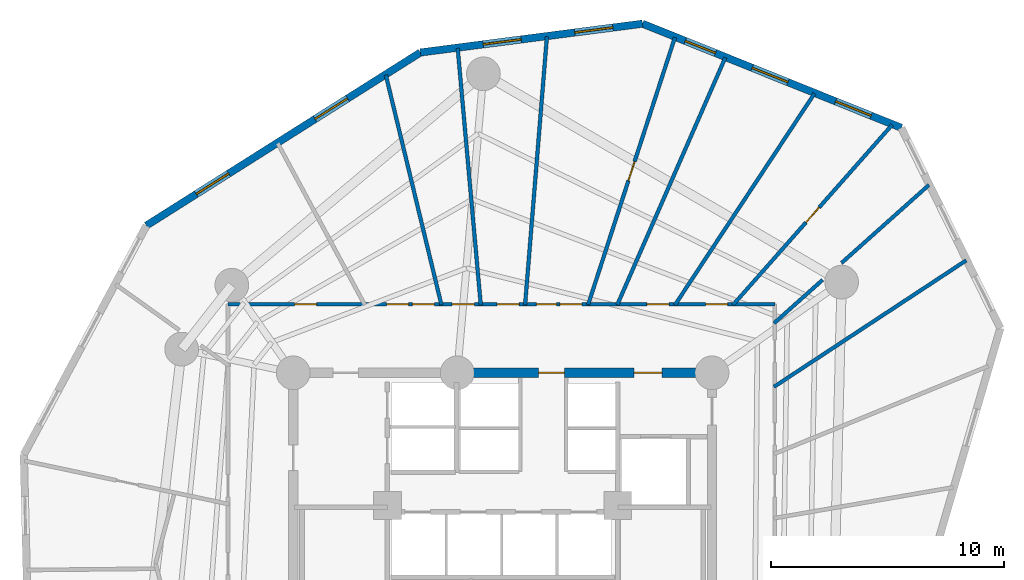
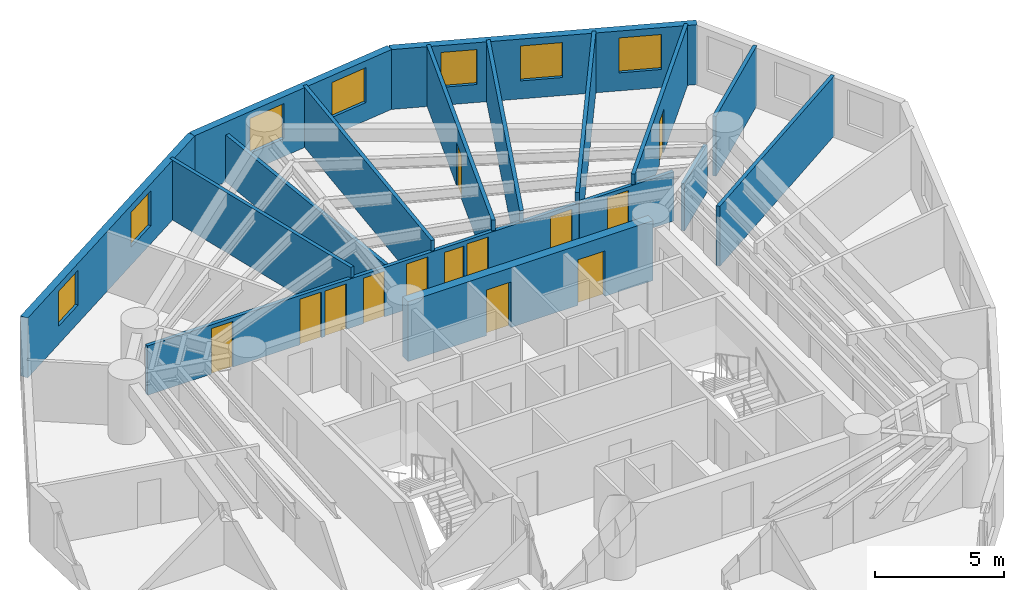
# One storey, part 6 of 8: 15 walls, 13 doors, 7 windows, 20 openings.
"""IFC4 building model written with IfcOpenShell, lengths in metres."""

from ifc_helpers import new_model, si_unit, direction, frame, frame_2d, origin, origin_with_axes, place, context, subcontext, project, spatial, rectangle, extrude, source, transform, mapped, material, layer, layer_set, type_object, element, fill, save


model = new_model("IFC4")

# Units and contexts
model_context = context("Model", 3, precision=1e-05, world=origin(), true_north=direction((0.0, 1.0)))
body_context = subcontext(model_context, "Body", "Model", "MODEL_VIEW")
ifc_project = project(units=[si_unit("LENGTHUNIT", "METRE"), si_unit("AREAUNIT", "SQUARE_METRE"), si_unit("VOLUMEUNIT", "CUBIC_METRE"), si_unit("PLANEANGLEUNIT", "RADIAN"), si_unit("MASSUNIT", "GRAM", prefix="KILO")], contexts=[model_context])

# Site, building, storey
site_placement = place(None, origin())
site = spatial("IfcSite", under=ifc_project, at=site_placement, CompositionType="ELEMENT")
building_placement = place(site_placement, origin())
building = spatial("IfcBuilding", under=site, at=building_placement, Name="Karkom Vertical University and Central Library", CompositionType="ELEMENT")
storey_placement = place(building_placement, frame((0.0, 0.0, 117.550048828125)))
storey = spatial("IfcBuildingStorey", under=building, at=storey_placement, Name="L32", CompositionType="ELEMENT", Elevation=117.550048828125)

# Wall, openings, windows
ifc_material_1 = material(Name="Brick-faced precast concrete C45/55", Category="masonry")
ifc_layer_1 = layer(ifc_material_1, 0.320068359375)
ifc_layer_set_1 = layer_set([ifc_layer_1], Name="Brick-faced precast concrete C45/55")
wall_type_1 = type_object("IfcWallType", Name="ENV-WL-BRK-320", PredefinedType="SOLIDWALL", material=ifc_layer_set_1)
wall_1_placement = place(storey_placement, frame((45.638916015625, 45.23193359375, 0.0), z_axis=(0.0, 0.0, 1.0), x_axis=(-0.927788462826, 0.373106644603, 0.0)))
wall_1 = element("IfcWall", 1, at=wall_1_placement, inside=storey, type_object=wall_type_1, Name="Level 32 Brick-Faced Precast Facade Wall 10", PredefinedType="SOLIDWALL", context=body_context, shape_type="SweptSolid", body=[
    extrude(rectangle(XDim=11.990966796875, YDim=0.320068359375, at=frame_2d((5.99560546875, 0.0))), origin(), (0.0, 0.0, 1.0), 2.824951171875),
])
opening_1_placement = place(wall_1_placement, frame((1.39990234375, 0.0, 0.85009765625)))
opening_1 = element("IfcOpeningElement", 2, at=opening_1_placement, cuts=wall_1, Name="Opening WN-06", PredefinedType="OPENING", context=body_context, shape_type="SweptSolid", body=[
    extrude(rectangle(XDim=1.64990234375, YDim=1.64990234375, at=frame_2d((0.824951171875, 0.824951171875))), frame((0.0, 0.169921875, 0.0), z_axis=(0.0, -1.0, 0.0), x_axis=(1.0, 0.0, 0.0)), (0.0, 0.0, 1.0), 0.340087890625),
])
opening_2_placement = place(wall_1_placement, frame((5.259765625, 0.0, 0.85009765625)))
opening_2 = element("IfcOpeningElement", 3, at=opening_2_placement, cuts=wall_1, Name="Opening WN-06", PredefinedType="OPENING", context=body_context, shape_type="SweptSolid", body=[
    extrude(rectangle(XDim=1.64990234375, YDim=1.64990234375, at=frame_2d((0.824951171875, 0.824951171875))), frame((0.0, 0.169921875, 0.0), z_axis=(0.0, -1.0, 0.0), x_axis=(1.0, 0.0, 0.0)), (0.0, 0.0, 1.0), 0.340087890625),
])
opening_3_placement = place(wall_1_placement, frame((8.612548828125, 0.0, 0.85009765625)))
opening_3 = element("IfcOpeningElement", 4, at=opening_3_placement, cuts=wall_1, Name="Opening WN-07", PredefinedType="OPENING", context=body_context, shape_type="SweptSolid", body=[
    extrude(rectangle(XDim=1.39990234375, YDim=1.64990234375, at=frame_2d((0.699951171875, 0.824951171875))), frame((0.0, 0.169921875, 0.0), z_axis=(0.0, -1.0, 0.0), x_axis=(1.0, 0.0, 0.0)), (0.0, 0.0, 1.0), 0.340087890625),
])
ifc_material_2 = material(Name="Aluminium thermal-break frame with solar-control IGU", Category="aluminium")
window_type_1 = type_object("IfcWindowType", Name="ENV-WIN-WN-06", PartitioningType="SINGLE_PANEL", PredefinedType="WINDOW", material=ifc_material_2)
shared_shape_1 = source(origin_with_axes(), body_context, "Body", "SweptSolid", [
    extrude(rectangle(XDim=1.64990234375, YDim=1.64990234375, at=frame_2d((0.824951171875, 0.824951171875))), frame((0.0, 0.030029296875, 0.0), z_axis=(0.0, -1.0, 0.0), x_axis=(1.0, 0.0, 0.0)), (0.0, 0.0, 1.0), 0.06005859375),
])
window_1_placement = place(opening_1_placement, origin())
window_1 = element("IfcWindow", 5, at=window_1_placement, inside=storey, type_object=window_type_1, Name="Level 32 Punched Window 10.1", OverallHeight=1.64990234375, OverallWidth=1.64990234375, PartitioningType="SINGLE_PANEL", PredefinedType="WINDOW", context=body_context, shape_type="MappedRepresentation", body=[
    mapped(shared_shape_1, transform((0.0, 0.0, 0.0), scale=1.0)),
])
fill(opening_1, window_1)
window_2_placement = place(opening_2_placement, origin())
window_2 = element("IfcWindow", 6, at=window_2_placement, inside=storey, type_object=window_type_1, Name="Level 32 Punched Window 10.2", OverallHeight=1.64990234375, OverallWidth=1.64990234375, PartitioningType="SINGLE_PANEL", PredefinedType="WINDOW", context=body_context, shape_type="MappedRepresentation", body=[
    mapped(shared_shape_1, transform((0.0, 0.0, 0.0), scale=1.0)),
])
fill(opening_2, window_2)
window_type_2 = type_object("IfcWindowType", Name="ENV-WIN-WN-07", PartitioningType="SINGLE_PANEL", PredefinedType="WINDOW", material=ifc_material_2)
shared_shape_2 = source(origin_with_axes(), body_context, "Body", "SweptSolid", [
    extrude(rectangle(XDim=1.39990234375, YDim=1.64990234375, at=frame_2d((0.699951171875, 0.824951171875))), frame((0.0, 0.030029296875, 0.0), z_axis=(0.0, -1.0, 0.0), x_axis=(1.0, 0.0, 0.0)), (0.0, 0.0, 1.0), 0.06005859375),
])
window_3_placement = place(opening_3_placement, origin())
window_3 = element("IfcWindow", 7, at=window_3_placement, inside=storey, type_object=window_type_2, Name="Level 32 Punched Window 10.3", OverallHeight=1.64990234375, OverallWidth=1.39990234375, PartitioningType="SINGLE_PANEL", PredefinedType="WINDOW", context=body_context, shape_type="MappedRepresentation", body=[
    mapped(shared_shape_2, transform((0.0, 0.0, 0.0), scale=1.0)),
])
fill(opening_3, window_3)

wall_2_placement = place(storey_placement, frame((34.513916015625, 49.705810546875, 0.0), z_axis=(0.0, 0.0, 1.0), x_axis=(-0.991719202809, -0.128425164123, 0.0)))
wall_2 = element("IfcWall", 8, at=wall_2_placement, inside=storey, type_object=wall_type_1, Name="Level 32 Brick-Faced Precast Facade Wall 11", PredefinedType="SOLIDWALL", context=body_context, shape_type="SweptSolid", body=[
    extrude(rectangle(XDim=9.626953125, YDim=0.320068359375, at=frame_2d((4.8134765625, 0.0))), origin(), (0.0, 0.0, 1.0), 2.824951171875),
])
opening_4_placement = place(wall_2_placement, frame((1.2822265625, 0.0, 0.85009765625)))
opening_4 = element("IfcOpeningElement", 9, at=opening_4_placement, cuts=wall_2, Name="Opening WN-06", PredefinedType="OPENING", context=body_context, shape_type="SweptSolid", body=[
    extrude(rectangle(XDim=1.64990234375, YDim=1.64990234375, at=frame_2d((0.824951171875, 0.824951171875))), frame((0.0, 0.169921875, 0.0), z_axis=(0.0, -1.0, 0.0), x_axis=(1.0, 0.0, 0.0)), (0.0, 0.0, 1.0), 0.340087890625),
])
opening_5_placement = place(wall_2_placement, frame((5.260009765625, 0.0, 0.85009765625)))
opening_5 = element("IfcOpeningElement", 10, at=opening_5_placement, cuts=wall_2, Name="Opening WN-06", PredefinedType="OPENING", context=body_context, shape_type="SweptSolid", body=[
    extrude(rectangle(XDim=1.64990234375, YDim=1.64990234375, at=frame_2d((0.824951171875, 0.824951171875))), frame((0.0, 0.169921875, 0.0), z_axis=(0.0, -1.0, 0.0), x_axis=(1.0, 0.0, 0.0)), (0.0, 0.0, 1.0), 0.340087890625),
])
window_4_placement = place(opening_4_placement, origin())
window_4 = element("IfcWindow", 11, at=window_4_placement, inside=storey, type_object=window_type_1, Name="Level 32 Punched Window 11.1", OverallHeight=1.64990234375, OverallWidth=1.64990234375, PartitioningType="SINGLE_PANEL", PredefinedType="WINDOW", context=body_context, shape_type="MappedRepresentation", body=[
    mapped(shared_shape_1, transform((0.0, 0.0, 0.0), scale=1.0)),
])
fill(opening_4, window_4)
window_5_placement = place(opening_5_placement, origin())
window_5 = element("IfcWindow", 12, at=window_5_placement, inside=storey, type_object=window_type_1, Name="Level 32 Punched Window 11.2", OverallHeight=1.64990234375, OverallWidth=1.64990234375, PartitioningType="SINGLE_PANEL", PredefinedType="WINDOW", context=body_context, shape_type="MappedRepresentation", body=[
    mapped(shared_shape_1, transform((0.0, 0.0, 0.0), scale=1.0)),
])
fill(opening_5, window_5)

wall_3_placement = place(storey_placement, frame((24.966796875, 48.469482421875, 0.0), z_axis=(0.0, 0.0, 1.0), x_axis=(-0.845484322543, -0.534000243758, 0.0)))
wall_3 = element("IfcWall", 13, at=wall_3_placement, inside=storey, type_object=wall_type_1, Name="Level 32 Brick-Faced Precast Facade Wall 12", PredefinedType="SOLIDWALL", context=body_context, shape_type="SweptSolid", body=[
    extrude(rectangle(XDim=13.93212890625, YDim=0.320068359375, at=frame_2d((6.966064453125, 0.0))), origin(), (0.0, 0.0, 1.0), 2.824951171875),
])
opening_6_placement = place(wall_3_placement, frame((3.70458984375, 0.0, 0.85009765625)))
opening_6 = element("IfcOpeningElement", 14, at=opening_6_placement, cuts=wall_3, Name="Opening WN-06", PredefinedType="OPENING", context=body_context, shape_type="SweptSolid", body=[
    extrude(rectangle(XDim=1.64990234375, YDim=1.64990234375, at=frame_2d((0.824951171875, 0.824951171875))), frame((0.0, 0.169921875, 0.0), z_axis=(0.0, -1.0, 0.0), x_axis=(1.0, 0.0, 0.0)), (0.0, 0.0, 1.0), 0.340087890625),
])
opening_7_placement = place(wall_3_placement, frame((9.747314453125, 0.0, 0.85009765625)))
opening_7 = element("IfcOpeningElement", 15, at=opening_7_placement, cuts=wall_3, Name="Opening WN-06", PredefinedType="OPENING", context=body_context, shape_type="SweptSolid", body=[
    extrude(rectangle(XDim=1.64990234375, YDim=1.64990234375, at=frame_2d((0.824951171875, 0.824951171875))), frame((0.0, 0.169921875, 0.0), z_axis=(0.0, -1.0, 0.0), x_axis=(1.0, 0.0, 0.0)), (0.0, 0.0, 1.0), 0.340087890625),
])
window_6_placement = place(opening_6_placement, origin())
window_6 = element("IfcWindow", 16, at=window_6_placement, inside=storey, type_object=window_type_1, Name="Level 32 Punched Window 12.1", OverallHeight=1.64990234375, OverallWidth=1.64990234375, PartitioningType="SINGLE_PANEL", PredefinedType="WINDOW", context=body_context, shape_type="MappedRepresentation", body=[
    mapped(shared_shape_1, transform((0.0, 0.0, 0.0), scale=1.0)),
])
fill(opening_6, window_6)
window_7_placement = place(opening_7_placement, origin())
window_7 = element("IfcWindow", 17, at=window_7_placement, inside=storey, type_object=window_type_1, Name="Level 32 Punched Window 12.2", OverallHeight=1.64990234375, OverallWidth=1.64990234375, PartitioningType="SINGLE_PANEL", PredefinedType="WINDOW", context=body_context, shape_type="MappedRepresentation", body=[
    mapped(shared_shape_1, transform((0.0, 0.0, 0.0), scale=1.0)),
])
fill(opening_7, window_7)

# Wall, openings, doors
ifc_material_3 = material(Name="Insulated metal-stud drywall 160mm", Category="gypsum")
ifc_layer_2 = layer(ifc_material_3, 0.159912109375)
ifc_layer_set_2 = layer_set([ifc_layer_2], Name="Insulated metal-stud drywall 160mm")
wall_type_2 = type_object("IfcWallType", Name="INT-WL-COR-160", PredefinedType="PARTITIONING", material=ifc_layer_set_2)
wall_4_placement = place(storey_placement, frame((16.699951171875, 37.64990234375, 0.0), z_axis=(0.0, 0.0, 1.0), x_axis=(1.0, 0.0, 0.0)))
wall_4 = element("IfcWall", 18, at=wall_4_placement, inside=storey, type_object=wall_type_2, Name="Level 32 Interior Partition Wall L32-CORW-CW-003", PredefinedType="PARTITIONING", context=body_context, shape_type="SweptSolid", body=[
    extrude(rectangle(XDim=23.5, YDim=0.159912109375, at=frame_2d((11.75, 0.0))), origin(), (0.0, 0.0, 1.0), 2.324951171875),
])
opening_8_placement = place(wall_4_placement, frame((20.52587890625, 0.0, 0.0)))
opening_8 = element("IfcOpeningElement", 19, at=opening_8_placement, cuts=wall_4, Name="Opening D-RM1", PredefinedType="OPENING", context=body_context, shape_type="SweptSolid", body=[
    extrude(rectangle(XDim=0.949951171875, YDim=2.14990234375, at=frame_2d((0.47509765625, 1.074951171875))), frame((0.0, 0.08984375, 0.0), z_axis=(0.0, -1.0, 0.0), x_axis=(1.0, 0.0, 0.0)), (0.0, 0.0, 1.0), 0.179931640625),
])
opening_9_placement = place(wall_4_placement, frame((17.99658203125, 0.0, 0.0)))
opening_9 = element("IfcOpeningElement", 20, at=opening_9_placement, cuts=wall_4, Name="Opening D-RM1", PredefinedType="OPENING", context=body_context, shape_type="SweptSolid", body=[
    extrude(rectangle(XDim=0.949951171875, YDim=2.14990234375, at=frame_2d((0.47509765625, 1.074951171875))), frame((0.0, 0.08984375, 0.0), z_axis=(0.0, -1.0, 0.0), x_axis=(1.0, 0.0, 0.0)), (0.0, 0.0, 1.0), 0.179931640625),
])
opening_10_placement = place(wall_4_placement, frame((14.260009765625, 0.0, 0.0)))
opening_10 = element("IfcOpeningElement", 21, at=opening_10_placement, cuts=wall_4, Name="Opening D-RM1", PredefinedType="OPENING", context=body_context, shape_type="SweptSolid", body=[
    extrude(rectangle(XDim=0.949951171875, YDim=2.14990234375, at=frame_2d((0.47509765625, 1.074951171875))), frame((0.0, 0.08984375, 0.0), z_axis=(0.0, -1.0, 0.0), x_axis=(1.0, 0.0, 0.0)), (0.0, 0.0, 1.0), 0.179931640625),
])
opening_11_placement = place(wall_4_placement, frame((13.256103515625, 0.0, 0.0)))
opening_11 = element("IfcOpeningElement", 22, at=opening_11_placement, cuts=wall_4, Name="Opening D-BATH", PredefinedType="OPENING", context=body_context, shape_type="SweptSolid", body=[
    extrude(rectangle(XDim=0.860107421875, YDim=2.10009765625, at=frame_2d((0.43017578125, 1.050048828125))), frame((0.0, 0.08984375, 0.0), z_axis=(0.0, -1.0, 0.0), x_axis=(1.0, 0.0, 0.0)), (0.0, 0.0, 1.0), 0.179931640625),
])
opening_12_placement = place(wall_4_placement, frame((11.56005859375, 0.0, 0.0)))
opening_12 = element("IfcOpeningElement", 23, at=opening_12_placement, cuts=wall_4, Name="Opening D-RM1", PredefinedType="OPENING", context=body_context, shape_type="SweptSolid", body=[
    extrude(rectangle(XDim=0.949951171875, YDim=2.14990234375, at=frame_2d((0.47509765625, 1.074951171875))), frame((0.0, 0.08984375, 0.0), z_axis=(0.0, -1.0, 0.0), x_axis=(1.0, 0.0, 0.0)), (0.0, 0.0, 1.0), 0.179931640625),
])
opening_13_placement = place(wall_4_placement, frame((9.635009765625, 0.0, 0.0)))
opening_13 = element("IfcOpeningElement", 24, at=opening_13_placement, cuts=wall_4, Name="Opening D-RM1", PredefinedType="OPENING", context=body_context, shape_type="SweptSolid", body=[
    extrude(rectangle(XDim=0.949951171875, YDim=2.14990234375, at=frame_2d((0.47509765625, 1.074951171875))), frame((0.0, 0.08984375, 0.0), z_axis=(0.0, -1.0, 0.0), x_axis=(1.0, 0.0, 0.0)), (0.0, 0.0, 1.0), 0.179931640625),
])
opening_14_placement = place(wall_4_placement, frame((7.92236328125, 0.0, 0.0)))
opening_14 = element("IfcOpeningElement", 25, at=opening_14_placement, cuts=wall_4, Name="Opening D-RM1", PredefinedType="OPENING", context=body_context, shape_type="SweptSolid", body=[
    extrude(rectangle(XDim=0.949951171875, YDim=2.14990234375, at=frame_2d((0.47509765625, 1.074951171875))), frame((0.0, 0.08984375, 0.0), z_axis=(0.0, -1.0, 0.0), x_axis=(1.0, 0.0, 0.0)), (0.0, 0.0, 1.0), 0.179931640625),
])
opening_15_placement = place(wall_4_placement, frame((6.81005859375, 0.0, 0.0)))
opening_15 = element("IfcOpeningElement", 26, at=opening_15_placement, cuts=wall_4, Name="Opening D-RM1", PredefinedType="OPENING", context=body_context, shape_type="SweptSolid", body=[
    extrude(rectangle(XDim=0.949951171875, YDim=2.14990234375, at=frame_2d((0.47509765625, 1.074951171875))), frame((0.0, 0.08984375, 0.0), z_axis=(0.0, -1.0, 0.0), x_axis=(1.0, 0.0, 0.0)), (0.0, 0.0, 1.0), 0.179931640625),
])
opening_16_placement = place(wall_4_placement, frame((2.8564453125, 0.0, 0.0)))
opening_16 = element("IfcOpeningElement", 27, at=opening_16_placement, cuts=wall_4, Name="Opening D-RM1", PredefinedType="OPENING", context=body_context, shape_type="SweptSolid", body=[
    extrude(rectangle(XDim=0.949951171875, YDim=2.14990234375, at=frame_2d((0.47509765625, 1.074951171875))), frame((0.0, 0.08984375, 0.0), z_axis=(0.0, -1.0, 0.0), x_axis=(1.0, 0.0, 0.0)), (0.0, 0.0, 1.0), 0.179931640625),
])
ifc_material_4 = material(Name="Moisture-resistant oak door", Category="wood")
door_type_1 = type_object("IfcDoorType", Name="INT-DR-BATH", OperationType="NOTDEFINED", PredefinedType="DOOR", material=ifc_material_4)
shared_shape_3 = source(origin_with_axes(), body_context, "Body", "SweptSolid", [
    extrude(rectangle(XDim=0.860107421875, YDim=2.10009765625, at=frame_2d((0.43017578125, 1.050048828125))), frame((0.0, 0.02490234375, 0.0), z_axis=(0.0, -1.0, 0.0), x_axis=(1.0, 0.0, 0.0)), (0.0, 0.0, 1.0), 0.050048828125),
])
door_1_placement = place(opening_11_placement, origin())
door_1 = element("IfcDoor", 28, at=door_1_placement, inside=storey, type_object=door_type_1, Name="Level 32 Room Entry Door 200", OperationType="SINGLE_SWING_RIGHT", OverallHeight=2.10009765625, OverallWidth=0.860107421875, PredefinedType="DOOR", context=body_context, shape_type="MappedRepresentation", body=[
    mapped(shared_shape_3, transform((0.0, 0.0, 0.0), scale=1.0)),
])
fill(opening_11, door_1)
ifc_material_5 = material(Name="Solid-core oak veneer door", Category="wood")
door_type_2 = type_object("IfcDoorType", Name="INT-DR-RM1", OperationType="NOTDEFINED", PredefinedType="DOOR", material=ifc_material_5)
shared_shape_4 = source(origin_with_axes(), body_context, "Body", "SweptSolid", [
    extrude(rectangle(XDim=0.949951171875, YDim=2.14990234375, at=frame_2d((0.47509765625, 1.074951171875))), frame((0.0, 0.02490234375, 0.0), z_axis=(0.0, -1.0, 0.0), x_axis=(1.0, 0.0, 0.0)), (0.0, 0.0, 1.0), 0.050048828125),
])
door_2_placement = place(opening_8_placement, origin())
door_2 = element("IfcDoor", 29, at=door_2_placement, inside=storey, type_object=door_type_2, Name="Level 32 Room Entry Door 170", OperationType="SINGLE_SWING_LEFT", OverallHeight=2.14990234375, OverallWidth=0.949951171875, PredefinedType="DOOR", context=body_context, shape_type="MappedRepresentation", body=[
    mapped(shared_shape_4, transform((0.0, 0.0, 0.0), scale=1.0)),
])
fill(opening_8, door_2)
door_3_placement = place(opening_9_placement, origin())
door_3 = element("IfcDoor", 30, at=door_3_placement, inside=storey, type_object=door_type_2, Name="Level 32 Room Entry Door 180", OperationType="SINGLE_SWING_RIGHT", OverallHeight=2.14990234375, OverallWidth=0.949951171875, PredefinedType="DOOR", context=body_context, shape_type="MappedRepresentation", body=[
    mapped(shared_shape_4, transform((0.0, 0.0, 0.0), scale=1.0)),
])
fill(opening_9, door_3)
door_4_placement = place(opening_10_placement, origin())
door_4 = element("IfcDoor", 31, at=door_4_placement, inside=storey, type_object=door_type_2, Name="Level 32 Room Entry Door 190", OperationType="SINGLE_SWING_LEFT", OverallHeight=2.14990234375, OverallWidth=0.949951171875, PredefinedType="DOOR", context=body_context, shape_type="MappedRepresentation", body=[
    mapped(shared_shape_4, transform((0.0, 0.0, 0.0), scale=1.0)),
])
fill(opening_10, door_4)
door_5_placement = place(opening_12_placement, origin())
door_5 = element("IfcDoor", 32, at=door_5_placement, inside=storey, type_object=door_type_2, Name="Level 32 Room Entry Door 210", OperationType="SINGLE_SWING_LEFT", OverallHeight=2.14990234375, OverallWidth=0.949951171875, PredefinedType="DOOR", context=body_context, shape_type="MappedRepresentation", body=[
    mapped(shared_shape_4, transform((0.0, 0.0, 0.0), scale=1.0)),
])
fill(opening_12, door_5)
door_6_placement = place(opening_13_placement, origin())
door_6 = element("IfcDoor", 33, at=door_6_placement, inside=storey, type_object=door_type_2, Name="Level 32 Room Entry Door 220", OperationType="SINGLE_SWING_RIGHT", OverallHeight=2.14990234375, OverallWidth=0.949951171875, PredefinedType="DOOR", context=body_context, shape_type="MappedRepresentation", body=[
    mapped(shared_shape_4, transform((0.0, 0.0, 0.0), scale=1.0)),
])
fill(opening_13, door_6)
door_7_placement = place(opening_14_placement, origin())
door_7 = element("IfcDoor", 34, at=door_7_placement, inside=storey, type_object=door_type_2, Name="Level 32 Room Entry Door 230", OperationType="SINGLE_SWING_LEFT", OverallHeight=2.14990234375, OverallWidth=0.949951171875, PredefinedType="DOOR", context=body_context, shape_type="MappedRepresentation", body=[
    mapped(shared_shape_4, transform((0.0, 0.0, 0.0), scale=1.0)),
])
fill(opening_14, door_7)
door_8_placement = place(opening_15_placement, origin())
door_8 = element("IfcDoor", 35, at=door_8_placement, inside=storey, type_object=door_type_2, Name="Level 32 Room Entry Door 240", OperationType="SINGLE_SWING_RIGHT", OverallHeight=2.14990234375, OverallWidth=0.949951171875, PredefinedType="DOOR", context=body_context, shape_type="MappedRepresentation", body=[
    mapped(shared_shape_4, transform((0.0, 0.0, 0.0), scale=1.0)),
])
fill(opening_15, door_8)
door_9_placement = place(opening_16_placement, origin())
door_9 = element("IfcDoor", 36, at=door_9_placement, inside=storey, type_object=door_type_2, Name="Level 32 Room Entry Door 250", OperationType="SINGLE_SWING_LEFT", OverallHeight=2.14990234375, OverallWidth=0.949951171875, PredefinedType="DOOR", context=body_context, shape_type="MappedRepresentation", body=[
    mapped(shared_shape_4, transform((0.0, 0.0, 0.0), scale=1.0)),
])
fill(opening_16, door_9)

# Wall, opening, door
wall_5_placement = place(storey_placement, frame((32.173583984375, 37.62158203125, 0.0), z_axis=(0.0, 0.0, 1.0), x_axis=(0.30877139815, 0.95113628029, 0.0)))
wall_5 = element("IfcWall", 37, at=wall_5_placement, inside=storey, type_object=wall_type_2, Name="Level 32 Interior Partition Wall L32-PW-030", PredefinedType="PARTITIONING", context=body_context, shape_type="SweptSolid", body=[
    extrude(rectangle(XDim=12.087890625, YDim=0.159912109375, at=frame_2d((6.0439453125, 0.0))), origin(), (0.0, 0.0, 1.0), 2.824951171875),
])
opening_17_placement = place(wall_5_placement, frame((5.614013671875, 0.0, 0.0)))
opening_17 = element("IfcOpeningElement", 38, at=opening_17_placement, cuts=wall_5, Name="Opening FD-BTH2", PredefinedType="OPENING", context=body_context, shape_type="SweptSolid", body=[
    extrude(rectangle(XDim=0.860107421875, YDim=2.0400390625, at=frame_2d((0.43017578125, 1.02001953125))), frame((0.0, 0.08984375, 0.0), z_axis=(0.0, -1.0, 0.0), x_axis=(1.0, 0.0, 0.0)), (0.0, 0.0, 1.0), 0.179931640625),
])
ifc_material_6 = material(Name="Fire-rated moisture-resistant oak door", Category="wood")
door_type_3 = type_object("IfcDoorType", Name="INT-DR-FBTH2", OperationType="NOTDEFINED", PredefinedType="DOOR", material=ifc_material_6)
shared_shape_5 = source(origin_with_axes(), body_context, "Body", "SweptSolid", [
    extrude(rectangle(XDim=0.860107421875, YDim=2.0400390625, at=frame_2d((0.43017578125, 1.02001953125))), frame((0.0, 0.02490234375, 0.0), z_axis=(0.0, -1.0, 0.0), x_axis=(1.0, 0.0, 0.0)), (0.0, 0.0, 1.0), 0.050048828125),
])
door_10_placement = place(opening_17_placement, origin())
door_10 = element("IfcDoor", 39, at=door_10_placement, inside=storey, type_object=door_type_3, Name="Level 32 University Bookshop and Print Market Entry Door", OperationType="SINGLE_SWING_RIGHT", OverallHeight=2.0400390625, OverallWidth=0.860107421875, PredefinedType="DOOR", context=body_context, shape_type="MappedRepresentation", body=[
    mapped(shared_shape_5, transform((0.0, 0.0, 0.0), scale=1.0)),
])
fill(opening_17, door_10)

# Walls
wall_6_placement = place(storey_placement, frame((33.42724609375, 37.62255859375, 0.0), z_axis=(0.0, 0.0, 1.0), x_axis=(0.400520613266, 0.916287748663, 0.0)))
element("IfcWall", 40, at=wall_6_placement, inside=storey, type_object=wall_type_2, Name="Level 32 Interior Partition Wall L32-PW-029", PredefinedType="PARTITIONING", context=body_context, shape_type="SweptSolid", body=[
    extrude(rectangle(XDim=11.59619140625, YDim=0.159912109375, at=frame_2d((5.798095703125, 0.0))), origin(), (0.0, 0.0, 1.0), 2.824951171875),
])
wall_7_placement = place(storey_placement, frame((29.4658203125, 37.6201171875, 0.0), z_axis=(0.0, 0.0, 1.0), x_axis=(0.081148022253, 0.996702061042, 0.0)))
element("IfcWall", 41, at=wall_7_placement, inside=storey, type_object=wall_type_2, Name="Level 32 Interior Partition Wall L32-PW-031", PredefinedType="PARTITIONING", context=body_context, shape_type="SweptSolid", body=[
    extrude(rectangle(XDim=11.56494140625, YDim=0.159912109375, at=frame_2d((5.782470703125, 0.0))), origin(), (0.0, 0.0, 1.0), 2.824951171875),
])
wall_8_placement = place(storey_placement, frame((27.56201171875, 37.605224609375, 0.0), z_axis=(0.0, 0.0, 1.0), x_axis=(-0.089503626706, 0.995986496297, 0.0)))
element("IfcWall", 42, at=wall_8_placement, inside=storey, type_object=wall_type_2, Name="Level 32 Interior Partition Wall L32-PW-032", PredefinedType="PARTITIONING", context=body_context, shape_type="SweptSolid", body=[
    extrude(rectangle(XDim=11.0908203125, YDim=0.159912109375, at=frame_2d((5.54541015625, 0.0))), origin(), (0.0, 0.0, 1.0), 2.224853515625),
])
wall_9_placement = place(storey_placement, frame((35.90380859375, 37.612548828125, 0.0), z_axis=(0.0, 0.0, 1.0), x_axis=(0.550742924519, 0.8346749254, 0.0)))
element("IfcWall", 43, at=wall_9_placement, inside=storey, type_object=wall_type_2, Name="Level 32 Interior Partition Wall L32-PW-028", PredefinedType="PARTITIONING", context=body_context, shape_type="SweptSolid", body=[
    extrude(rectangle(XDim=10.894287109375, YDim=0.159912109375, at=frame_2d((5.447265625, 0.0))), origin(), (0.0, 0.0, 1.0), 2.824951171875),
])

# Wall, opening, door
wall_10_placement = place(storey_placement, frame((38.401123046875, 37.6162109375, 0.0), z_axis=(0.0, 0.0, 1.0), x_axis=(0.662096599454, 0.749418503236, 0.0)))
wall_10 = element("IfcWall", 44, at=wall_10_placement, inside=storey, type_object=wall_type_2, Name="Level 32 Interior Partition Wall L32-PW-027", PredefinedType="PARTITIONING", context=body_context, shape_type="SweptSolid", body=[
    extrude(rectangle(XDim=10.33349609375, YDim=0.159912109375, at=frame_2d((5.166748046875, 0.0))), origin(), (0.0, 0.0, 1.0), 2.824951171875),
])
opening_18_placement = place(wall_10_placement, frame((4.73681640625, 0.0, 0.0)))
opening_18 = element("IfcOpeningElement", 45, at=opening_18_placement, cuts=wall_10, Name="Opening FD-BTH2", PredefinedType="OPENING", context=body_context, shape_type="SweptSolid", body=[
    extrude(rectangle(XDim=0.860107421875, YDim=2.0400390625, at=frame_2d((0.43017578125, 1.02001953125))), frame((0.0, 0.08984375, 0.0), z_axis=(0.0, -1.0, 0.0), x_axis=(1.0, 0.0, 0.0)), (0.0, 0.0, 1.0), 0.179931640625),
])
door_11_placement = place(opening_18_placement, origin())
door_11 = element("IfcDoor", 46, at=door_11_placement, inside=storey, type_object=door_type_3, Name="Level 32 University Bookshop and Print Market Entry Door", OperationType="SINGLE_SWING_LEFT", OverallHeight=2.0400390625, OverallWidth=0.860107421875, PredefinedType="DOOR", context=body_context, shape_type="MappedRepresentation", body=[
    mapped(shared_shape_5, transform((0.0, 0.0, 0.0), scale=1.0)),
])
fill(opening_18, door_11)

# Walls
wall_11_placement = place(storey_placement, frame((25.87060546875, 37.620849609375, 0.0), z_axis=(0.0, 0.0, 1.0), x_axis=(-0.235190853666, 0.971949207702, 0.0)))
element("IfcWall", 47, at=wall_11_placement, inside=storey, type_object=wall_type_2, Name="Level 32 Interior Partition Wall L32-PW-033", PredefinedType="PARTITIONING", context=body_context, shape_type="SweptSolid", body=[
    extrude(rectangle(XDim=10.16162109375, YDim=0.159912109375, at=frame_2d((5.080810546875, 0.0))), origin(), (0.0, 0.0, 1.0), 2.824951171875),
])
wall_12_placement = place(storey_placement, frame((40.162353515625, 34.098388671875, 0.0), z_axis=(0.0, 0.0, 1.0), x_axis=(0.835508327982, 0.549477782874, 0.0)))
element("IfcWall", 48, at=wall_12_placement, inside=storey, type_object=wall_type_2, Name="Level 32 Interior Partition Wall L32-PW-024", PredefinedType="PARTITIONING", context=body_context, shape_type="SweptSolid", body=[
    extrude(rectangle(XDim=9.891845703125, YDim=0.159912109375, at=frame_2d((4.94580078125, 0.0))), origin(), (0.0, 0.0, 1.0), 2.824951171875),
])
wall_13_placement = place(storey_placement, frame((43.064453125, 39.419921875, 0.0), z_axis=(0.0, 0.0, 1.0), x_axis=(0.746022776511, 0.665920428374, 0.0)))
element("IfcWall", 49, at=wall_13_placement, inside=storey, type_object=wall_type_2, Name="Level 32 Interior Partition Wall L32-PW-026", PredefinedType="PARTITIONING", context=body_context, shape_type="SweptSolid", body=[
    extrude(rectangle(XDim=5.0380859375, YDim=0.159912109375, at=frame_2d((2.51904296875, 0.0))), origin(), (0.0, 0.0, 1.0), 2.824951171875),
])
wall_14_placement = place(storey_placement, frame((40.16650390625, 36.8330078125, 0.0), z_axis=(0.0, 0.0, 1.0), x_axis=(0.746009004767, 0.665935856376, 0.0)))
element("IfcWall", 50, at=wall_14_placement, inside=storey, type_object=wall_type_2, Name="Level 32 Interior Partition Wall L32-PW-025", PredefinedType="PARTITIONING", context=body_context, shape_type="SweptSolid", body=[
    extrude(rectangle(XDim=2.79296875, YDim=0.159912109375, at=frame_2d((1.396484375, 0.0))), origin(), (0.0, 0.0, 1.0), 2.224853515625),
])

# Wall, openings, doors
ifc_material_7 = material(Name="Concrete C50/60", Category="concrete")
ifc_layer_3 = layer(ifc_material_7, 0.39990234375)
ifc_layer_set_3 = layer_set([ifc_layer_3], Name="Concrete C50/60")
wall_type_3 = type_object("IfcWallType", Name="STR-WL-CW-400", PredefinedType="SHEAR", material=ifc_layer_set_3)
wall_15_placement = place(storey_placement, frame((37.5, 34.699951171875, 0.0), z_axis=(0.0, 0.0, 1.0), x_axis=(-1.0, 0.0, 0.0)))
wall_15 = element("IfcWall", 51, at=wall_15_placement, inside=storey, type_object=wall_type_3, Name="Level 32 Central Core Shear Wall NW1", PredefinedType="SHEAR", context=body_context, shape_type="SweptSolid", body=[
    extrude(rectangle(XDim=10.949951171875, YDim=0.39990234375, at=frame_2d((5.47509765625, 0.0))), origin(), (0.0, 0.0, 1.0), 2.824951171875),
])
opening_19_placement = place(wall_15_placement, frame((2.14990234375, 0.0, 0.0)))
opening_19 = element("IfcOpeningElement", 52, at=opening_19_placement, cuts=wall_15, Name="Opening FD-SUB1", PredefinedType="OPENING", context=body_context, shape_type="SweptSolid", body=[
    extrude(rectangle(XDim=1.199951171875, YDim=2.14990234375, at=frame_2d((0.60009765625, 1.074951171875))), frame((0.0, 0.2099609375, 0.0), z_axis=(0.0, -1.0, 0.0), x_axis=(1.0, 0.0, 0.0)), (0.0, 0.0, 1.0), 0.419921875),
])
opening_20_placement = place(wall_15_placement, frame((6.35009765625, 0.0, 0.0)))
opening_20 = element("IfcOpeningElement", 53, at=opening_20_placement, cuts=wall_15, Name="Opening FD-FFL", PredefinedType="OPENING", context=body_context, shape_type="SweptSolid", body=[
    extrude(rectangle(XDim=1.10009765625, YDim=2.14990234375, at=frame_2d((0.550048828125, 1.074951171875))), frame((0.0, 0.2099609375, 0.0), z_axis=(0.0, -1.0, 0.0), x_axis=(1.0, 0.0, 0.0)), (0.0, 0.0, 1.0), 0.419921875),
])
ifc_material_8 = material(Name="Painted steel smoke-seal fire door", Category="steel")
door_type_4 = type_object("IfcDoorType", Name="INT-DR-FFL", OperationType="NOTDEFINED", PredefinedType="DOOR", material=ifc_material_8)
shared_shape_6 = source(origin_with_axes(), body_context, "Body", "SweptSolid", [
    extrude(rectangle(XDim=1.10009765625, YDim=2.14990234375, at=frame_2d((0.550048828125, 1.074951171875))), frame((0.0, 0.02490234375, 0.0), z_axis=(0.0, -1.0, 0.0), x_axis=(1.0, 0.0, 0.0)), (0.0, 0.0, 1.0), 0.050048828125),
])
door_12_placement = place(opening_20_placement, origin())
door_12 = element("IfcDoor", 54, at=door_12_placement, inside=storey, type_object=door_type_4, Name="Level 32 North Core Lobby Exit Door", OperationType="SINGLE_SWING_RIGHT", OverallHeight=2.14990234375, OverallWidth=1.10009765625, PredefinedType="DOOR", context=body_context, shape_type="MappedRepresentation", body=[
    mapped(shared_shape_6, transform((0.0, 0.0, 0.0), scale=1.0)),
])
fill(opening_20, door_12)
ifc_material_9 = material(Name="Painted steel fire door", Category="steel")
door_type_5 = type_object("IfcDoorType", Name="INT-DR-SUB1", OperationType="NOTDEFINED", PredefinedType="DOOR", material=ifc_material_9)
shared_shape_7 = source(origin_with_axes(), body_context, "Body", "SweptSolid", [
    extrude(rectangle(XDim=1.199951171875, YDim=2.14990234375, at=frame_2d((0.60009765625, 1.074951171875))), frame((0.0, 0.02490234375, 0.0), z_axis=(0.0, -1.0, 0.0), x_axis=(1.0, 0.0, 0.0)), (0.0, 0.0, 1.0), 0.050048828125),
])
door_13_placement = place(opening_19_placement, origin())
door_13 = element("IfcDoor", 55, at=door_13_placement, inside=storey, type_object=door_type_5, Name="Level 32 Service Lobby Fire Door", OperationType="SINGLE_SWING_RIGHT", OverallHeight=2.14990234375, OverallWidth=1.199951171875, PredefinedType="DOOR", context=body_context, shape_type="MappedRepresentation", body=[
    mapped(shared_shape_7, transform((0.0, 0.0, 0.0), scale=1.0)),
])
fill(opening_19, door_13)

save(model, "model.ifc")
